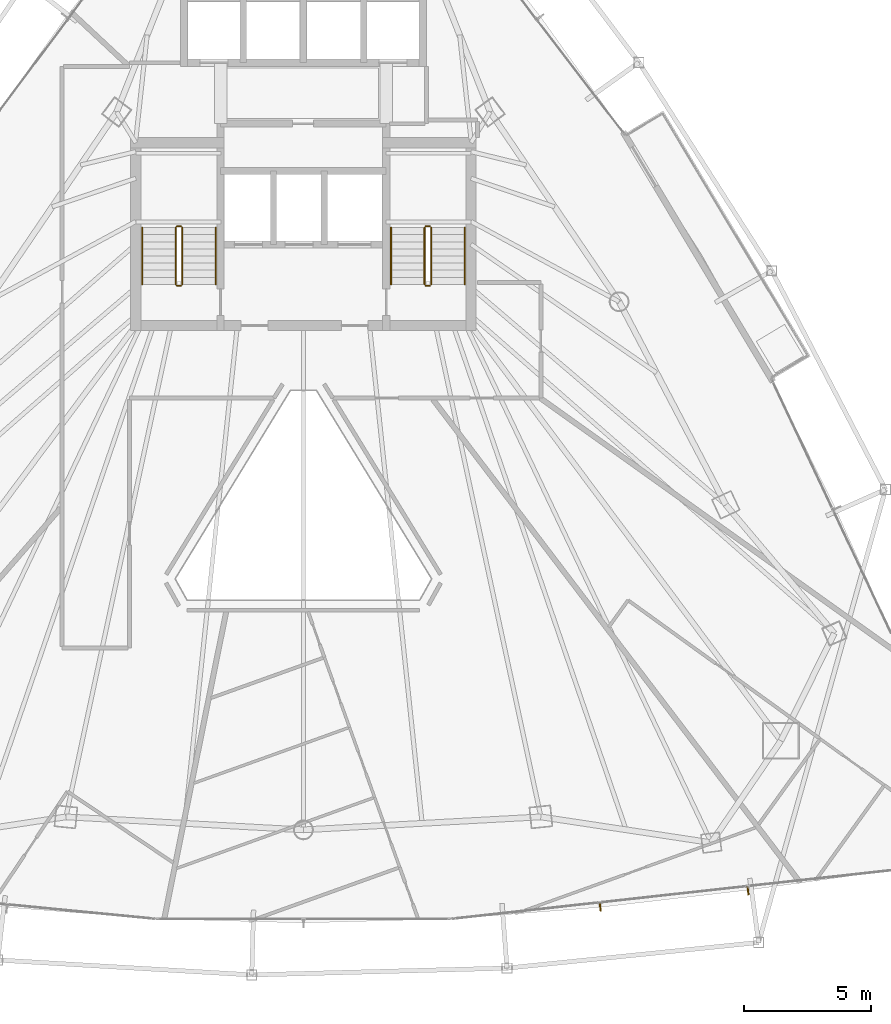
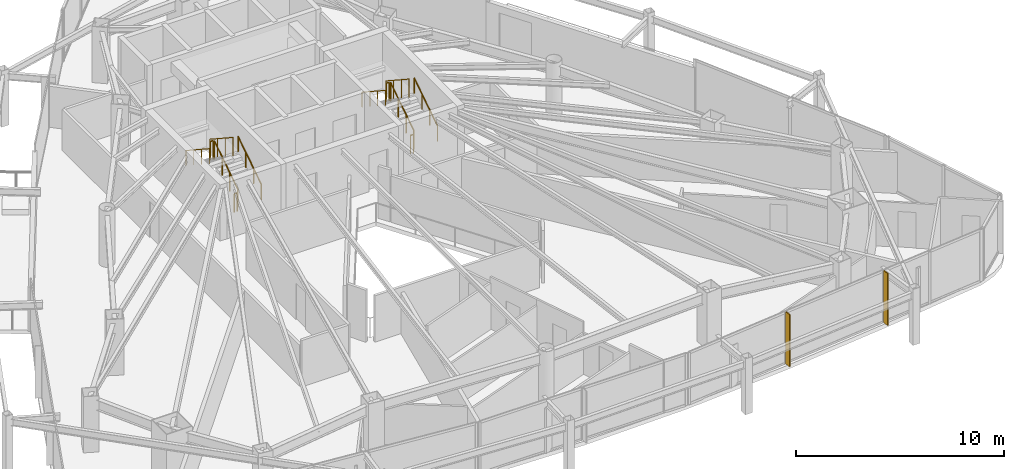
# One storey, part 29 of 30: 12 railings, 2 shading devices.
"""IFC4 building model written with IfcOpenShell, lengths in metres."""

from ifc_helpers import new_model, si_unit, direction, frame, origin, origin_2d, place, context, subcontext, project, spatial, rectangle, circle, extrude, material, layer, layer_set, type_object, element, save


model = new_model("IFC4")

# Units and contexts
model_context = context("Model", 3, precision=1e-05, world=origin(), true_north=direction((0.0, 1.0)))
body_context = subcontext(model_context, "Body", "Model", "MODEL_VIEW")
ifc_project = project(units=[si_unit("LENGTHUNIT", "METRE"), si_unit("AREAUNIT", "SQUARE_METRE"), si_unit("VOLUMEUNIT", "CUBIC_METRE"), si_unit("PLANEANGLEUNIT", "RADIAN"), si_unit("MASSUNIT", "GRAM", prefix="KILO")], contexts=[model_context])

# Site, building, storey
site_placement = place(None, origin())
site = spatial("IfcSite", under=ifc_project, at=site_placement, CompositionType="ELEMENT")
building_placement = place(site_placement, origin())
building = spatial("IfcBuilding", under=site, at=building_placement, Name="Orvanel Arch Residences", CompositionType="ELEMENT")
storey_placement = place(building_placement, frame((0.0, 0.0, 136.39990234375)))
storey = spatial("IfcBuildingStorey", under=building, at=storey_placement, Name="L38", CompositionType="ELEMENT", Elevation=136.39990234375)

# Shading devices
ifc_material_1 = material(Name="Bronze-anodised aluminium AA6063-T6", Category="aluminium")
ifc_layer = layer(ifc_material_1, 0.054931640625)
ifc_layer_set = layer_set([ifc_layer], Name="Bronze-anodised aluminium AA6063-T6")
shading_device_type = type_object("IfcShadingDeviceType", Name="FIN-BRZ-320", PredefinedType="USERDEFINED", material=ifc_layer_set)
for number, where, z_axis, x_axis, name in (
    (1, (44.68896484375, 3.7958984375, 0.0), (0.0, 0.0, 1.0), (0.109734311091, -0.993960955455, 0.0), "L38 Anodised Bronze Mullion FIN 01"),
    (2, (50.507080078125, 4.43896484375, 0.0), (0.0, 0.0, 1.0), (0.109734311091, -0.993960955455, 0.0), "L38 Anodised Bronze Mullion FIN 02"),
):
    element("IfcShadingDevice", number, at=place(storey_placement, frame(where, z_axis=z_axis, x_axis=x_axis)), inside=storey, type_object=shading_device_type, Name=name, ObjectType="FIN", PredefinedType="USERDEFINED", context=body_context, shape_type="SweptSolid", body=[
        extrude(rectangle(XDim=0.320068359375, YDim=0.054931640625, at=origin_2d()), origin(), (0.0, 0.0, 1.0), 3.06005859375),
    ])

# Railings
ifc_material_2 = material(Name="Structural steel AS/NZS 1163 C350L0 (Grade 350)", Category="steel")
railing_type_1 = type_object("IfcRailingType", Name="RL-STAIR-GUARD", PredefinedType="GUARDRAIL", material=ifc_material_2)
railing_1_placement = place(storey_placement, frame((28.22998046875, 28.320068359375, 0.183349609375)))
element("IfcRailing", 3, at=railing_1_placement, inside=storey, type_object=railing_type_1, Name="L38 ST-1 stair guard 1", PredefinedType="GUARDRAIL", context=body_context, shape_type="SweptSolid", body=[
    extrude(circle(Radius=0.02392578125, at=origin_2d()), frame((0.0, 0.001220703125, 1.076904296875), z_axis=(0.0, 0.836595146698, 0.547821650285), x_axis=(-1.0, 0.0, 0.0)), (0.0, 0.0, 1.0), 2.674560546875),
    extrude(circle(Radius=0.02099609375, at=origin_2d()), origin(), (0.0, 0.0, 1.0), 1.050048828125),
    extrude(circle(Radius=0.02099609375, at=origin_2d()), frame((0.0, 0.74658203125, 0.489013671875)), (0.0, 0.0, 1.0), 1.050048828125),
    extrude(circle(Radius=0.02099609375, at=origin_2d()), frame((0.0, 1.493408203125, 0.977783203125)), (0.0, 0.0, 1.0), 1.050048828125),
    extrude(circle(Radius=0.02099609375, at=origin_2d()), frame((0.0, 2.239990234375, 1.466796875)), (0.0, 0.0, 1.0), 1.050048828125),
])
railing_2_placement = place(storey_placement, frame((28.179931640625, 30.610107421875, 1.650146484375)))
element("IfcRailing", 4, at=railing_2_placement, inside=storey, type_object=railing_type_1, Name="L38 ST-1 stair guard 2", PredefinedType="GUARDRAIL", context=body_context, shape_type="SweptSolid", body=[
    extrude(circle(Radius=0.02392578125, at=origin_2d()), frame((-0.00146484375, 0.0, 1.076171875), z_axis=(-1.0, 0.0, 0.0), x_axis=(0.0, -1.0, 0.0)), (0.0, 0.0, 1.0), 0.156982421875),
    extrude(circle(Radius=0.02099609375, at=origin_2d()), origin(), (0.0, 0.0, 1.0), 1.050048828125),
    extrude(circle(Radius=0.02099609375, at=origin_2d()), frame((-0.159912109375, 0.0, 0.0)), (0.0, 0.0, 1.0), 1.050048828125),
])
railing_3_placement = place(storey_placement, frame((27.969970703125, 30.56005859375, 1.83349609375)))
element("IfcRailing", 5, at=railing_3_placement, inside=storey, type_object=railing_type_1, Name="L38 ST-1 stair guard 3", PredefinedType="GUARDRAIL", context=body_context, shape_type="SweptSolid", body=[
    extrude(circle(Radius=0.02392578125, at=origin_2d()), frame((0.0, -0.001220703125, 1.076904296875), z_axis=(0.0, -0.836636935527, 0.547757827979), x_axis=(1.0, 0.0, 0.0)), (0.0, 0.0, 1.0), 2.67431640625),
    extrude(circle(Radius=0.02099609375, at=origin_2d()), origin(), (0.0, 0.0, 1.0), 1.050048828125),
    extrude(circle(Radius=0.02099609375, at=origin_2d()), frame((0.0, -0.74658203125, 0.48876953125)), (0.0, 0.0, 1.0), 1.050048828125),
    extrude(circle(Radius=0.02099609375, at=origin_2d()), frame((0.0, -1.493408203125, 0.977783203125)), (0.0, 0.0, 1.0), 1.050048828125),
    extrude(circle(Radius=0.02099609375, at=origin_2d()), frame((0.0, -2.239990234375, 1.466552734375)), (0.0, 0.0, 1.0), 1.050048828125),
])
railing_4_placement = place(storey_placement, frame((28.179931640625, 28.27001953125, 0.0)))
element("IfcRailing", 6, at=railing_4_placement, inside=storey, type_object=railing_type_1, Name="L38 ST-1 stair guard 4", PredefinedType="GUARDRAIL", context=body_context, shape_type="SweptSolid", body=[
    extrude(circle(Radius=0.02392578125, at=origin_2d()), frame((-0.00146484375, 0.0, 1.076171875), z_axis=(-1.0, 0.0, 0.0), x_axis=(0.0, -1.0, 0.0)), (0.0, 0.0, 1.0), 0.156982421875),
    extrude(circle(Radius=0.02099609375, at=origin_2d()), origin(), (0.0, 0.0, 1.0), 1.050048828125),
    extrude(circle(Radius=0.02099609375, at=origin_2d()), frame((-0.159912109375, 0.0, 0.0)), (0.0, 0.0, 1.0), 1.050048828125),
])
railing_5_placement = place(storey_placement, frame((38.030029296875, 28.320068359375, 0.183349609375)))
element("IfcRailing", 7, at=railing_5_placement, inside=storey, type_object=railing_type_1, Name="L38 ST-2 stair guard 1", PredefinedType="GUARDRAIL", context=body_context, shape_type="SweptSolid", body=[
    extrude(circle(Radius=0.02392578125, at=origin_2d()), frame((0.0, 0.001220703125, 1.076904296875), z_axis=(0.0, 0.836595146698, 0.547821650285), x_axis=(-1.0, 0.0, 0.0)), (0.0, 0.0, 1.0), 2.674560546875),
    extrude(circle(Radius=0.02099609375, at=origin_2d()), origin(), (0.0, 0.0, 1.0), 1.050048828125),
    extrude(circle(Radius=0.02099609375, at=origin_2d()), frame((0.0, 0.74658203125, 0.489013671875)), (0.0, 0.0, 1.0), 1.050048828125),
    extrude(circle(Radius=0.02099609375, at=origin_2d()), frame((0.0, 1.493408203125, 0.977783203125)), (0.0, 0.0, 1.0), 1.050048828125),
    extrude(circle(Radius=0.02099609375, at=origin_2d()), frame((0.0, 2.239990234375, 1.466796875)), (0.0, 0.0, 1.0), 1.050048828125),
])
railing_6_placement = place(storey_placement, frame((37.97998046875, 30.610107421875, 1.650146484375)))
element("IfcRailing", 8, at=railing_6_placement, inside=storey, type_object=railing_type_1, Name="L38 ST-2 stair guard 2", PredefinedType="GUARDRAIL", context=body_context, shape_type="SweptSolid", body=[
    extrude(circle(Radius=0.02392578125, at=origin_2d()), frame((-0.00146484375, 0.0, 1.076171875), z_axis=(-1.0, 0.0, 0.0), x_axis=(0.0, -1.0, 0.0)), (0.0, 0.0, 1.0), 0.156982421875),
    extrude(circle(Radius=0.02099609375, at=origin_2d()), origin(), (0.0, 0.0, 1.0), 1.050048828125),
    extrude(circle(Radius=0.02099609375, at=origin_2d()), frame((-0.159912109375, 0.0, 0.0)), (0.0, 0.0, 1.0), 1.050048828125),
])
railing_7_placement = place(storey_placement, frame((37.77001953125, 30.56005859375, 1.83349609375)))
element("IfcRailing", 9, at=railing_7_placement, inside=storey, type_object=railing_type_1, Name="L38 ST-2 stair guard 3", PredefinedType="GUARDRAIL", context=body_context, shape_type="SweptSolid", body=[
    extrude(circle(Radius=0.02392578125, at=origin_2d()), frame((0.0, -0.001220703125, 1.076904296875), z_axis=(0.0, -0.836636935527, 0.547757827979), x_axis=(1.0, 0.0, 0.0)), (0.0, 0.0, 1.0), 2.67431640625),
    extrude(circle(Radius=0.02099609375, at=origin_2d()), origin(), (0.0, 0.0, 1.0), 1.050048828125),
    extrude(circle(Radius=0.02099609375, at=origin_2d()), frame((0.0, -0.74658203125, 0.48876953125)), (0.0, 0.0, 1.0), 1.050048828125),
    extrude(circle(Radius=0.02099609375, at=origin_2d()), frame((0.0, -1.493408203125, 0.977783203125)), (0.0, 0.0, 1.0), 1.050048828125),
    extrude(circle(Radius=0.02099609375, at=origin_2d()), frame((0.0, -2.239990234375, 1.466552734375)), (0.0, 0.0, 1.0), 1.050048828125),
])
railing_8_placement = place(storey_placement, frame((37.97998046875, 28.27001953125, 0.0)))
element("IfcRailing", 10, at=railing_8_placement, inside=storey, type_object=railing_type_1, Name="L38 ST-2 stair guard 4", PredefinedType="GUARDRAIL", context=body_context, shape_type="SweptSolid", body=[
    extrude(circle(Radius=0.02392578125, at=origin_2d()), frame((-0.00146484375, 0.0, 1.076171875), z_axis=(-1.0, 0.0, 0.0), x_axis=(0.0, -1.0, 0.0)), (0.0, 0.0, 1.0), 0.156982421875),
    extrude(circle(Radius=0.02099609375, at=origin_2d()), origin(), (0.0, 0.0, 1.0), 1.050048828125),
    extrude(circle(Radius=0.02099609375, at=origin_2d()), frame((-0.159912109375, 0.0, 0.0)), (0.0, 0.0, 1.0), 1.050048828125),
])
railing_type_2 = type_object("IfcRailingType", Name="RL-STAIR-HAND", PredefinedType="HANDRAIL", material=ifc_material_2)
railing_9_placement = place(storey_placement, frame((29.550048828125, 28.320068359375, 0.183349609375)))
element("IfcRailing", 11, at=railing_9_placement, inside=storey, type_object=railing_type_2, Name="L38 ST-1 stair handrail 1", PredefinedType="HANDRAIL", context=body_context, shape_type="SweptSolid", body=[
    extrude(circle(Radius=0.02392578125, at=origin_2d()), frame((0.0, 0.001220703125, 0.876708984375), z_axis=(0.0, 0.836595146698, 0.547821650285), x_axis=(-1.0, 0.0, 0.0)), (0.0, 0.0, 1.0), 2.674560546875),
    extrude(circle(Radius=0.02099609375, at=origin_2d()), origin(), (0.0, 0.0, 1.0), 0.849853515625),
    extrude(circle(Radius=0.02099609375, at=origin_2d()), frame((0.0, 0.74658203125, 0.489013671875)), (0.0, 0.0, 1.0), 0.849853515625),
    extrude(circle(Radius=0.02099609375, at=origin_2d()), frame((0.0, 1.493408203125, 0.977783203125)), (0.0, 0.0, 1.0), 0.849853515625),
    extrude(circle(Radius=0.02099609375, at=origin_2d()), frame((0.0, 2.239990234375, 1.466796875)), (0.0, 0.0, 1.0), 0.849853515625),
])
railing_10_placement = place(storey_placement, frame((26.64990234375, 30.56005859375, 1.83349609375)))
element("IfcRailing", 12, at=railing_10_placement, inside=storey, type_object=railing_type_2, Name="L38 ST-1 stair handrail 2", PredefinedType="HANDRAIL", context=body_context, shape_type="SweptSolid", body=[
    extrude(circle(Radius=0.02392578125, at=origin_2d()), frame((0.0, -0.001220703125, 0.876708984375), z_axis=(0.0, -0.836636935527, 0.547757827979), x_axis=(1.0, 0.0, 0.0)), (0.0, 0.0, 1.0), 2.67431640625),
    extrude(circle(Radius=0.02099609375, at=origin_2d()), origin(), (0.0, 0.0, 1.0), 0.849853515625),
    extrude(circle(Radius=0.02099609375, at=origin_2d()), frame((0.0, -0.74658203125, 0.48876953125)), (0.0, 0.0, 1.0), 0.849853515625),
    extrude(circle(Radius=0.02099609375, at=origin_2d()), frame((0.0, -1.493408203125, 0.977783203125)), (0.0, 0.0, 1.0), 0.849853515625),
    extrude(circle(Radius=0.02099609375, at=origin_2d()), frame((0.0, -2.239990234375, 1.466552734375)), (0.0, 0.0, 1.0), 0.849853515625),
])
railing_11_placement = place(storey_placement, frame((39.35009765625, 28.320068359375, 0.183349609375)))
element("IfcRailing", 13, at=railing_11_placement, inside=storey, type_object=railing_type_2, Name="L38 ST-2 stair handrail 1", PredefinedType="HANDRAIL", context=body_context, shape_type="SweptSolid", body=[
    extrude(circle(Radius=0.02392578125, at=origin_2d()), frame((0.0, 0.001220703125, 0.876708984375), z_axis=(0.0, 0.836595146698, 0.547821650285), x_axis=(-1.0, 0.0, 0.0)), (0.0, 0.0, 1.0), 2.674560546875),
    extrude(circle(Radius=0.02099609375, at=origin_2d()), origin(), (0.0, 0.0, 1.0), 0.849853515625),
    extrude(circle(Radius=0.02099609375, at=origin_2d()), frame((0.0, 0.74658203125, 0.489013671875)), (0.0, 0.0, 1.0), 0.849853515625),
    extrude(circle(Radius=0.02099609375, at=origin_2d()), frame((0.0, 1.493408203125, 0.977783203125)), (0.0, 0.0, 1.0), 0.849853515625),
    extrude(circle(Radius=0.02099609375, at=origin_2d()), frame((0.0, 2.239990234375, 1.466796875)), (0.0, 0.0, 1.0), 0.849853515625),
])
railing_12_placement = place(storey_placement, frame((36.449951171875, 30.56005859375, 1.83349609375)))
element("IfcRailing", 14, at=railing_12_placement, inside=storey, type_object=railing_type_2, Name="L38 ST-2 stair handrail 2", PredefinedType="HANDRAIL", context=body_context, shape_type="SweptSolid", body=[
    extrude(circle(Radius=0.02392578125, at=origin_2d()), frame((0.0, -0.001220703125, 0.876708984375), z_axis=(0.0, -0.836636935527, 0.547757827979), x_axis=(1.0, 0.0, 0.0)), (0.0, 0.0, 1.0), 2.67431640625),
    extrude(circle(Radius=0.02099609375, at=origin_2d()), origin(), (0.0, 0.0, 1.0), 0.849853515625),
    extrude(circle(Radius=0.02099609375, at=origin_2d()), frame((0.0, -0.74658203125, 0.48876953125)), (0.0, 0.0, 1.0), 0.849853515625),
    extrude(circle(Radius=0.02099609375, at=origin_2d()), frame((0.0, -1.493408203125, 0.977783203125)), (0.0, 0.0, 1.0), 0.849853515625),
    extrude(circle(Radius=0.02099609375, at=origin_2d()), frame((0.0, -2.239990234375, 1.466552734375)), (0.0, 0.0, 1.0), 0.849853515625),
])

save(model, "model.ifc")
